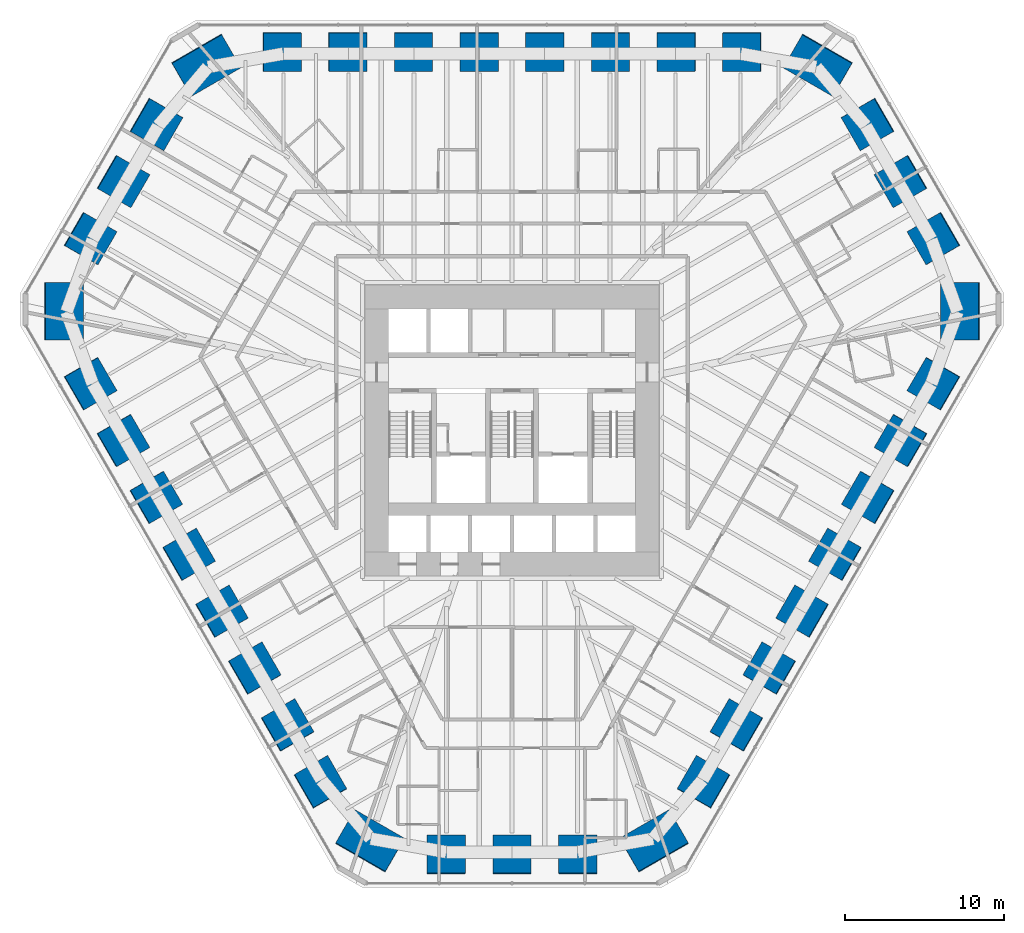
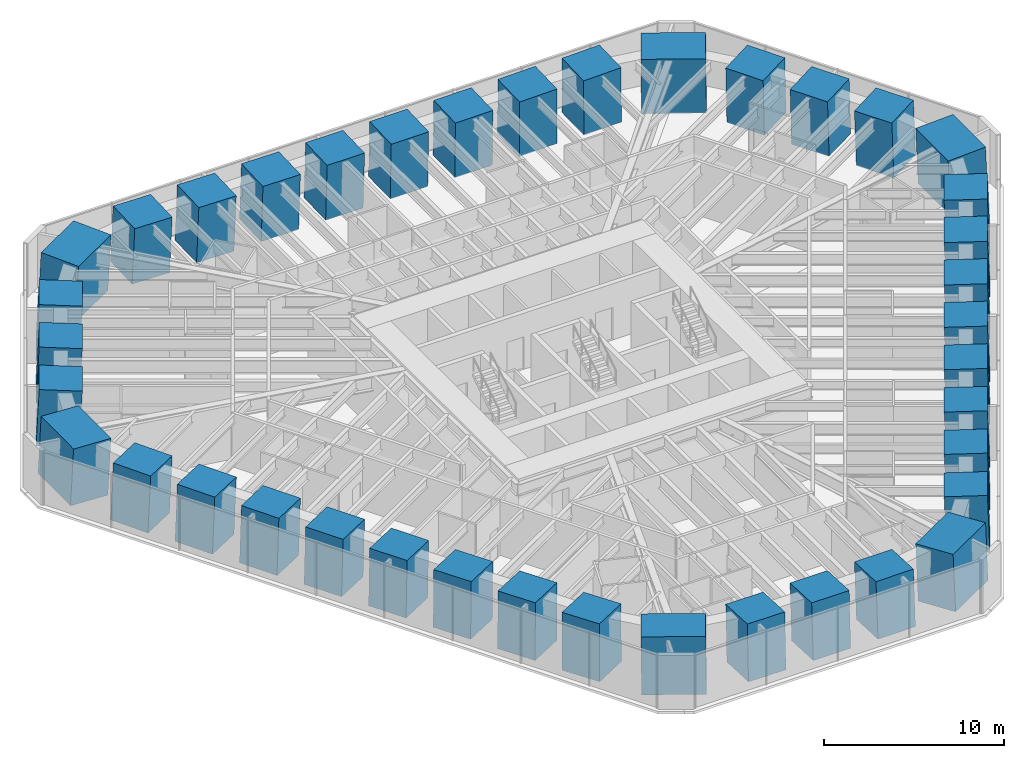
# One storey, part 1 of 17: 39 columns.
"""IFC4 building model written with IfcOpenShell, lengths in metres."""

from ifc_helpers import new_model, si_unit, direction, frame, origin, origin_2d, place, context, subcontext, project, spatial, rectangle, extrude, material, material_profile, profile_set, type_object, element, save


model = new_model("IFC4")

# Units and contexts
model_context = context("Model", 3, precision=1e-05, world=origin(), true_north=direction((0.0, 1.0)))
body_context = subcontext(model_context, "Body", "Model", "MODEL_VIEW")
ifc_project = project(units=[si_unit("LENGTHUNIT", "METRE"), si_unit("AREAUNIT", "SQUARE_METRE"), si_unit("VOLUMEUNIT", "CUBIC_METRE"), si_unit("PLANEANGLEUNIT", "RADIAN"), si_unit("MASSUNIT", "GRAM", prefix="KILO")], contexts=[model_context])

# Site, building, storey
site_placement = place(None, origin())
site = spatial("IfcSite", under=ifc_project, at=site_placement, CompositionType="ELEMENT")
building_placement = place(site_placement, origin())
building = spatial("IfcBuilding", under=site, at=building_placement, Name="Sandreach Pilgrim Tower", CompositionType="ELEMENT")
storey_placement = place(building_placement, frame((0.0, 0.0, 68.60009765625)))
storey = spatial("IfcBuildingStorey", under=building, at=storey_placement, Name="L16", CompositionType="ELEMENT", Elevation=68.60009765625)

# Columns
ifc_material_1 = material(Name="Concrete 10000 psi", Category="concrete")
ifc_material_profile_1 = material_profile(ifc_material_1, rectangle(XDim=2.39990234375, YDim=2.39990234375, at=origin_2d()), Name="RC2400X2400")
ifc_profile_set_1 = profile_set([ifc_material_profile_1], Name="Concrete 10000 psi")
column_type_1 = type_object("IfcColumnType", Name="Raked tube column RC2400X2400", PredefinedType="COLUMN", material=ifc_profile_set_1)
column_1_placement = place(storey_placement, frame((-14.4609375, 22.26708984375, 0.0), z_axis=(0.023814278632, -0.036652164687, 0.99904429279), x_axis=(0.000657975223, 0.999328060468, 0.036646891141)))
element("IfcColumn", 1, at=column_1_placement, inside=storey, type_object=column_type_1, Name="COL L16 T01", PredefinedType="COLUMN", context=body_context, shape_type="SweptSolid", body=[
    extrude(rectangle(XDim=2.39990234375, YDim=2.39990234375, at=origin_2d()), origin(), (0.0, 0.0, 1.0), 3.803466796875),
])
column_2_placement = place(storey_placement, frame((-10.329345703125, 22.267578125, 0.0), z_axis=(0.017012521931, -0.036721368092, 0.999180722003), x_axis=(0.001112054049, 0.999325424622, 0.036707751771)))
element("IfcColumn", 2, at=column_2_placement, inside=storey, type_object=column_type_1, Name="COL L16 T02", PredefinedType="COLUMN", context=body_context, shape_type="SweptSolid", body=[
    extrude(rectangle(XDim=2.39990234375, YDim=2.39990234375, at=origin_2d()), origin(), (0.0, 0.0, 1.0), 3.802978515625),
])
for number, where, z_axis, x_axis, name in (
    (3, (-6.19775390625, 22.267822265625, 0.0), (0.010208458672, -0.036724769562, 0.999273275272), (0.000704617471, 0.999325363879, 0.036719485605), "COL L16 T03"),
    (4, (-2.06591796875, 22.26806640625, 0.0), (0.003402977176, -0.036726470651, 0.999319561552), (0.000242373878, 0.999325348728, 0.036725857984), "COL L16 T04"),
    (5, (2.06591796875, 22.26806640625, 0.0), (-0.003402977176, -0.036726470651, 0.999319561552), (-0.000242373878, 0.999325348728, 0.036725857984), "COL L16 T05"),
    (6, (6.19775390625, 22.267822265625, 0.0), (-0.010208458672, -0.036724769562, 0.999273275272), (-0.000704617471, 0.999325363879, 0.036719485605), "COL L16 T06"),
):
    element("IfcColumn", number, at=place(storey_placement, frame(where, z_axis=z_axis, x_axis=x_axis)), inside=storey, type_object=column_type_1, Name=name, PredefinedType="COLUMN", context=body_context, shape_type="SweptSolid", body=[
        extrude(rectangle(XDim=2.39990234375, YDim=2.39990234375, at=origin_2d()), origin(), (0.0, 0.0, 1.0), 3.802490234375),
    ])
column_3_placement = place(storey_placement, frame((10.329345703125, 22.267578125, 0.0), z_axis=(-0.017012521931, -0.036721368092, 0.999180722003), x_axis=(-0.001112054049, 0.999325424622, 0.036707751771)))
element("IfcColumn", 7, at=column_3_placement, inside=storey, type_object=column_type_1, Name="COL L16 T07", PredefinedType="COLUMN", context=body_context, shape_type="SweptSolid", body=[
    extrude(rectangle(XDim=2.39990234375, YDim=2.39990234375, at=origin_2d()), origin(), (0.0, 0.0, 1.0), 3.802978515625),
])
column_4_placement = place(storey_placement, frame((14.4609375, 22.26708984375, 0.0), z_axis=(-0.023814278632, -0.036652164687, 0.99904429279), x_axis=(-0.000657975223, 0.999328060468, 0.036646891141)))
element("IfcColumn", 8, at=column_4_placement, inside=storey, type_object=column_type_1, Name="COL L16 T08", PredefinedType="COLUMN", context=body_context, shape_type="SweptSolid", body=[
    extrude(rectangle(XDim=2.39990234375, YDim=2.39990234375, at=origin_2d()), origin(), (0.0, 0.0, 1.0), 3.803466796875),
])
column_5_placement = place(storey_placement, frame((22.37060546875, 17.701904296875, 0.0), z_axis=(-0.036391020622, -0.02875339901, 0.998923888824), x_axis=(0.865629842264, 0.498577397371, 0.045886327074)))
element("IfcColumn", 9, at=column_5_placement, inside=storey, type_object=column_type_1, Name="COL L16 T10", PredefinedType="COLUMN", context=body_context, shape_type="SweptSolid", body=[
    extrude(rectangle(XDim=2.39990234375, YDim=2.39990234375, at=origin_2d()), origin(), (0.0, 0.0, 1.0), 3.803955078125),
])
column_6_placement = place(storey_placement, frame((24.443359375, 14.1123046875, 0.0), z_axis=(-0.039729416552, -0.022913411485, 0.998947720872), x_axis=(0.865343929533, 0.499075578099, 0.045863394613)))
element("IfcColumn", 10, at=column_6_placement, inside=storey, type_object=column_type_1, Name="COL L16 T11", PredefinedType="COLUMN", context=body_context, shape_type="SweptSolid", body=[
    extrude(rectangle(XDim=2.39990234375, YDim=2.39990234375, at=origin_2d()), origin(), (0.0, 0.0, 1.0), 3.8037109375),
])
column_7_placement = place(storey_placement, frame((26.515625, 10.5224609375, 0.0), z_axis=(-0.043130085457, -0.017072325493, 0.998923586382), x_axis=(0.865394170055, 0.498985755281, 0.045892771343)))
element("IfcColumn", 11, at=column_7_placement, inside=storey, type_object=column_type_1, Name="COL L16 T12", PredefinedType="COLUMN", context=body_context, shape_type="SweptSolid", body=[
    extrude(rectangle(XDim=2.39990234375, YDim=2.39990234375, at=origin_2d()), origin(), (0.0, 0.0, 1.0), 3.803955078125),
])
column_8_placement = place(storey_placement, frame((26.514404296875, 1.389892578125, 0.0), z_axis=(-0.043712884586, -0.002246624024, 0.999041608944), x_axis=(0.864490333043, -0.501307988979, 0.036698286892)))
element("IfcColumn", 12, at=column_8_placement, inside=storey, type_object=column_type_1, Name="COL L16 T14", PredefinedType="COLUMN", context=body_context, shape_type="SweptSolid", body=[
    extrude(rectangle(XDim=2.39990234375, YDim=2.39990234375, at=origin_2d()), origin(), (0.0, 0.0, 1.0), 3.803466796875),
])
column_9_placement = place(storey_placement, frame((24.448974609375, -2.188232421875, 0.0), z_axis=(-0.040316457844, 0.003595098152, 0.999180493453), x_axis=(0.865292181726, -0.499921599316, 0.036712869422)))
element("IfcColumn", 13, at=column_9_placement, inside=storey, type_object=column_type_1, Name="COL L16 T15", PredefinedType="COLUMN", context=body_context, shape_type="SweptSolid", body=[
    extrude(rectangle(XDim=2.39990234375, YDim=2.39990234375, at=origin_2d()), origin(), (0.0, 0.0, 1.0), 3.802978515625),
])
for number, where, z_axis, x_axis, name in (
    (14, (22.38330078125, -5.7666015625, 0.0), (-0.03691737712, 0.00950221185, 0.999273143458), (0.865363041041, -0.499798201385, 0.036722814341), "COL L16 T16"),
    (15, (20.317626953125, -9.344970703125, 0.0), (-0.033451973352, 0.015409738204, 0.999321522558), (0.86508569647, -0.500281755587, 0.036672916294), "COL L16 T17"),
    (16, (18.251708984375, -12.923095703125, 0.0), (-0.030049017743, 0.02125261725, 0.999322461867), (0.865767967845, -0.499101977923, 0.036647530432), "COL L16 T18"),
    (17, (16.185546875, -16.501220703125, 0.0), (-0.026644791171, 0.0271584257, 0.999275975403), (0.865686238241, -0.499243451776, 0.036651231622), "COL L16 T19"),
):
    element("IfcColumn", number, at=place(storey_placement, frame(where, z_axis=z_axis, x_axis=x_axis)), inside=storey, type_object=column_type_1, Name=name, PredefinedType="COLUMN", context=body_context, shape_type="SweptSolid", body=[
        extrude(rectangle(XDim=2.39990234375, YDim=2.39990234375, at=origin_2d()), origin(), (0.0, 0.0, 1.0), 3.802490234375),
    ])
column_10_placement = place(storey_placement, frame((14.11962890625, -20.079345703125, 0.0), z_axis=(-0.023303915554, 0.033126227068, 0.999179453652), x_axis=(0.865853819102, -0.498946509876, 0.036736143371)))
element("IfcColumn", 18, at=column_10_placement, inside=storey, type_object=column_type_1, Name="COL L16 T20", PredefinedType="COLUMN", context=body_context, shape_type="SweptSolid", body=[
    extrude(rectangle(XDim=2.39990234375, YDim=2.39990234375, at=origin_2d()), origin(), (0.0, 0.0, 1.0), 3.802978515625),
])
column_11_placement = place(storey_placement, frame((12.053466796875, -23.6572265625, 0.0), z_axis=(-0.019898638036, 0.039027006212, 0.999040007703), x_axis=(0.866022334764, -0.498654491999, 0.036728916404)))
element("IfcColumn", 19, at=column_11_placement, inside=storey, type_object=column_type_1, Name="COL L16 T21", PredefinedType="COLUMN", context=body_context, shape_type="SweptSolid", body=[
    extrude(rectangle(XDim=2.39990234375, YDim=2.39990234375, at=origin_2d()), origin(), (0.0, 0.0, 1.0), 3.803466796875),
])
column_12_placement = place(storey_placement, frame((4.14501953125, -28.224365234375, 0.0), z_axis=(-0.006739077102, 0.045889905979, 0.998923771551), x_axis=(-0.000314879156, -0.998946503323, 0.045888825981)))
element("IfcColumn", 20, at=column_12_placement, inside=storey, type_object=column_type_1, Name="COL L16 T23", PredefinedType="COLUMN", context=body_context, shape_type="SweptSolid", body=[
    extrude(rectangle(XDim=2.39990234375, YDim=2.39990234375, at=origin_2d()), origin(), (0.0, 0.0, 1.0), 3.803955078125),
])
column_13_placement = place(storey_placement, frame((0.0, -28.224853515625, 0.0), z_axis=(0.0, 0.045890948063, 0.998946455465), x_axis=(0.0, -0.998946455465, 0.045890948063)))
element("IfcColumn", 21, at=column_13_placement, inside=storey, type_object=column_type_1, Name="COL L16 T24", PredefinedType="COLUMN", context=body_context, shape_type="SweptSolid", body=[
    extrude(rectangle(XDim=2.39990234375, YDim=2.39990234375, at=origin_2d()), origin(), (0.0, 0.0, 1.0), 3.8037109375),
])
column_14_placement = place(storey_placement, frame((-4.14501953125, -28.224365234375, 0.0), z_axis=(0.006739077102, 0.045889905979, 0.998923771551), x_axis=(0.000314879156, -0.998946503323, 0.045888825981)))
element("IfcColumn", 22, at=column_14_placement, inside=storey, type_object=column_type_1, Name="COL L16 T25", PredefinedType="COLUMN", context=body_context, shape_type="SweptSolid", body=[
    extrude(rectangle(XDim=2.39990234375, YDim=2.39990234375, at=origin_2d()), origin(), (0.0, 0.0, 1.0), 3.803955078125),
])
column_15_placement = place(storey_placement, frame((-12.053466796875, -23.6572265625, 0.0), z_axis=(0.019898638036, 0.039027006212, 0.999040007703), x_axis=(-0.866022334764, -0.498654491999, 0.036728916404)))
element("IfcColumn", 23, at=column_15_placement, inside=storey, type_object=column_type_1, Name="COL L16 T27", PredefinedType="COLUMN", context=body_context, shape_type="SweptSolid", body=[
    extrude(rectangle(XDim=2.39990234375, YDim=2.39990234375, at=origin_2d()), origin(), (0.0, 0.0, 1.0), 3.803466796875),
])
column_16_placement = place(storey_placement, frame((-14.11962890625, -20.079345703125, 0.0), z_axis=(0.023303915554, 0.033126227068, 0.999179453652), x_axis=(-0.865853819102, -0.498946509876, 0.036736143371)))
element("IfcColumn", 24, at=column_16_placement, inside=storey, type_object=column_type_1, Name="COL L16 T28", PredefinedType="COLUMN", context=body_context, shape_type="SweptSolid", body=[
    extrude(rectangle(XDim=2.39990234375, YDim=2.39990234375, at=origin_2d()), origin(), (0.0, 0.0, 1.0), 3.802978515625),
])
for number, where, z_axis, x_axis, name in (
    (25, (-16.185546875, -16.501220703125, 0.0), (0.026644791171, 0.0271584257, 0.999275975403), (-0.865686238241, -0.499243451776, 0.036651231622), "COL L16 T29"),
    (26, (-18.251708984375, -12.923095703125, 0.0), (0.030049017743, 0.02125261725, 0.999322461867), (-0.865767967845, -0.499101977923, 0.036647530432), "COL L16 T30"),
    (27, (-20.317626953125, -9.344970703125, 0.0), (0.033451973352, 0.015409738204, 0.999321522558), (-0.86508569647, -0.500281755587, 0.036672916294), "COL L16 T31"),
    (28, (-22.38330078125, -5.7666015625, 0.0), (0.03691737712, 0.00950221185, 0.999273143458), (-0.865363041041, -0.499798201385, 0.036722814341), "COL L16 T32"),
):
    element("IfcColumn", number, at=place(storey_placement, frame(where, z_axis=z_axis, x_axis=x_axis)), inside=storey, type_object=column_type_1, Name=name, PredefinedType="COLUMN", context=body_context, shape_type="SweptSolid", body=[
        extrude(rectangle(XDim=2.39990234375, YDim=2.39990234375, at=origin_2d()), origin(), (0.0, 0.0, 1.0), 3.802490234375),
    ])
column_17_placement = place(storey_placement, frame((-24.448974609375, -2.188232421875, 0.0), z_axis=(0.040316457844, 0.003595098152, 0.999180493453), x_axis=(-0.865292181726, -0.499921599316, 0.036712869422)))
element("IfcColumn", 29, at=column_17_placement, inside=storey, type_object=column_type_1, Name="COL L16 T33", PredefinedType="COLUMN", context=body_context, shape_type="SweptSolid", body=[
    extrude(rectangle(XDim=2.39990234375, YDim=2.39990234375, at=origin_2d()), origin(), (0.0, 0.0, 1.0), 3.802978515625),
])
column_18_placement = place(storey_placement, frame((-26.514404296875, 1.389892578125, 0.0), z_axis=(0.043712884586, -0.002246624024, 0.999041608944), x_axis=(-0.864490333043, -0.501307988979, 0.036698286892)))
element("IfcColumn", 30, at=column_18_placement, inside=storey, type_object=column_type_1, Name="COL L16 T34", PredefinedType="COLUMN", context=body_context, shape_type="SweptSolid", body=[
    extrude(rectangle(XDim=2.39990234375, YDim=2.39990234375, at=origin_2d()), origin(), (0.0, 0.0, 1.0), 3.803466796875),
])
column_19_placement = place(storey_placement, frame((-26.515625, 10.5224609375, 0.0), z_axis=(0.043130085457, -0.017072325493, 0.998923586382), x_axis=(-0.865394170055, 0.498985755281, 0.045892771343)))
element("IfcColumn", 31, at=column_19_placement, inside=storey, type_object=column_type_1, Name="COL L16 T36", PredefinedType="COLUMN", context=body_context, shape_type="SweptSolid", body=[
    extrude(rectangle(XDim=2.39990234375, YDim=2.39990234375, at=origin_2d()), origin(), (0.0, 0.0, 1.0), 3.803955078125),
])
column_20_placement = place(storey_placement, frame((-24.443359375, 14.1123046875, 0.0), z_axis=(0.039729416552, -0.022913411485, 0.998947720872), x_axis=(-0.865343929533, 0.499075578099, 0.045863394613)))
element("IfcColumn", 32, at=column_20_placement, inside=storey, type_object=column_type_1, Name="COL L16 T37", PredefinedType="COLUMN", context=body_context, shape_type="SweptSolid", body=[
    extrude(rectangle(XDim=2.39990234375, YDim=2.39990234375, at=origin_2d()), origin(), (0.0, 0.0, 1.0), 3.8037109375),
])
column_21_placement = place(storey_placement, frame((-22.37060546875, 17.701904296875, 0.0), z_axis=(0.036391020622, -0.02875339901, 0.998923888824), x_axis=(-0.865629842264, 0.498577397371, 0.045886327074)))
element("IfcColumn", 33, at=column_21_placement, inside=storey, type_object=column_type_1, Name="COL L16 T38", PredefinedType="COLUMN", context=body_context, shape_type="SweptSolid", body=[
    extrude(rectangle(XDim=2.39990234375, YDim=2.39990234375, at=origin_2d()), origin(), (0.0, 0.0, 1.0), 3.803955078125),
])
ifc_material_2 = material(Name="Concrete 10000 psi", Category="concrete")
ifc_material_profile_2 = material_profile(ifc_material_2, rectangle(XDim=2.39990234375, YDim=3.60009765625, at=origin_2d()), Name="RC2400X3600")
ifc_profile_set_2 = profile_set([ifc_material_profile_2], Name="Concrete 10000 psi")
column_type_2 = type_object("IfcColumnType", Name="Raked tube corner pier RC2400X3600", PredefinedType="COLUMN", material=ifc_profile_set_2)
for number, where, z_axis, x_axis, name in (
    (34, (19.2392578125, 21.426025390625, 0.0), (-0.031960256484, -0.035618358129, 0.998854280949), (0.498742725112, 0.865484554231, 0.046820727622), "COL L16 T09"),
    (35, (28.175048828125, 5.94873046875, 0.0), (-0.046785278747, -0.009883309914, 0.998856074656), (0.99890496318, -0.000352213367, 0.04678408361), "COL L16 T13"),
    (36, (8.935791015625, -27.374755859375, 0.0), (-0.014824937852, 0.045501649077, 0.998854254208), (0.499371096195, -0.865122116591, 0.046821273701), "COL L16 T22"),
    (37, (-8.935791015625, -27.374755859375, 0.0), (0.014824937852, 0.045501649077, 0.998854254208), (-0.499371096195, -0.865122116591, 0.046821273701), "COL L16 T26"),
    (38, (-28.175048828125, 5.94873046875, 0.0), (0.046785278747, -0.009883309914, 0.998856074656), (-0.99890496318, -0.000352213367, 0.04678408361), "COL L16 T35"),
    (39, (-19.2392578125, 21.426025390625, 0.0), (0.031960256484, -0.035618358129, 0.998854280949), (-0.498742725112, 0.865484554231, 0.046820727622), "COL L16 T39"),
):
    element("IfcColumn", number, at=place(storey_placement, frame(where, z_axis=z_axis, x_axis=x_axis)), inside=storey, type_object=column_type_2, Name=name, PredefinedType="COLUMN", context=body_context, shape_type="SweptSolid", body=[
        extrude(rectangle(XDim=2.39990234375, YDim=3.60009765625, at=origin_2d()), origin(), (0.0, 0.0, 1.0), 3.80419921875),
    ])

save(model, "model.ifc")
